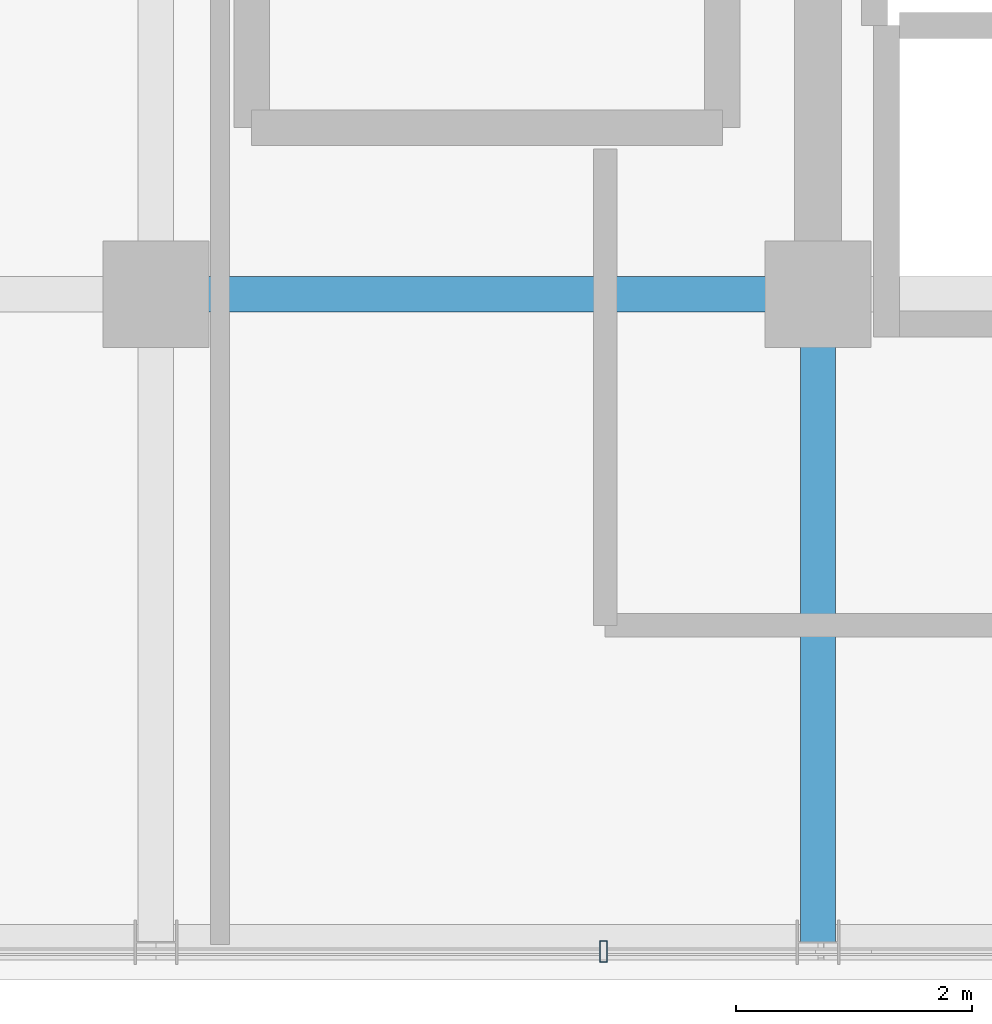
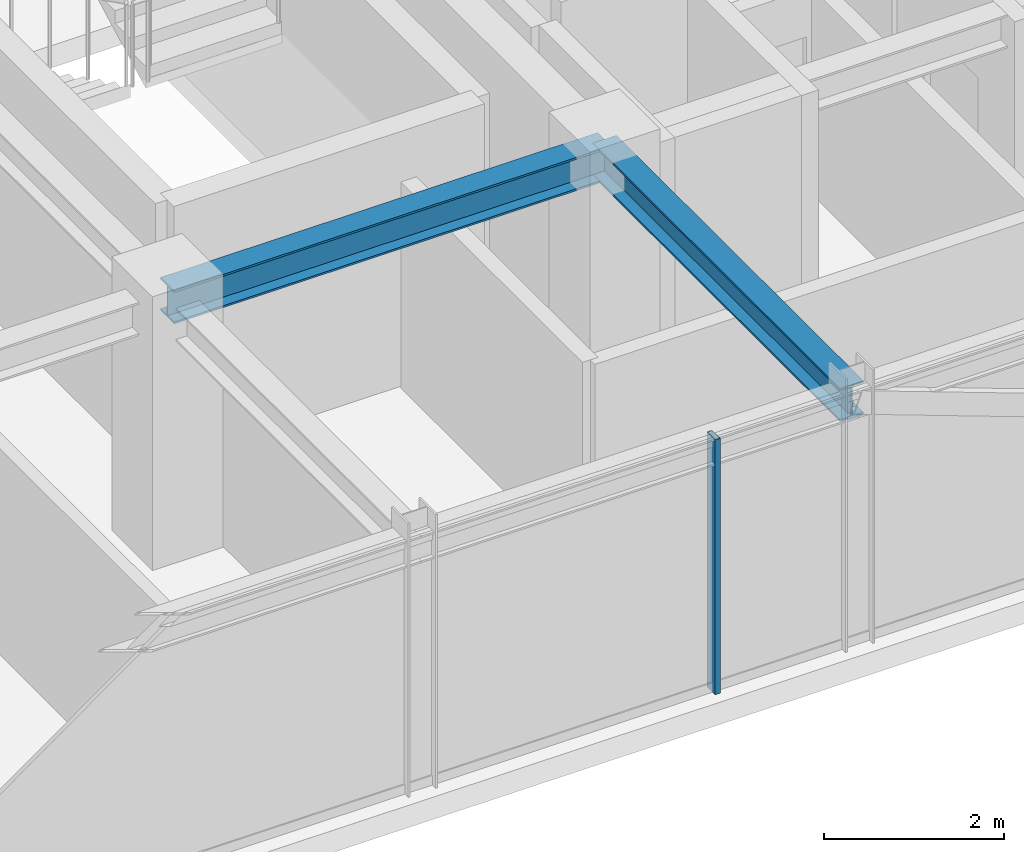
# One storey, part 8 of 31: 2 beams, 1 member, 1 element without a shape of its own.
"""IFC4 building model written with IfcOpenShell, lengths in metres."""

from ifc_helpers import new_model, si_unit, direction, frame, origin, origin_2d, place, context, subcontext, project, spatial, hollow_rectangle, i_section, extrude, source, transform, mapped, material, material_profile, profile_set, type_object, element, aggregate, save


model = new_model("IFC4")

# Units and contexts
model_context = context("Model", 3, precision=1e-05, world=origin(), true_north=direction((0.0, 1.0)))
body_context = subcontext(model_context, "Body", "Model", "MODEL_VIEW")
ifc_project = project(units=[si_unit("LENGTHUNIT", "METRE"), si_unit("AREAUNIT", "SQUARE_METRE"), si_unit("VOLUMEUNIT", "CUBIC_METRE"), si_unit("PLANEANGLEUNIT", "RADIAN"), si_unit("MASSUNIT", "GRAM", prefix="KILO")], contexts=[model_context])

# Site, building, storey
site_placement = place(None, origin())
site = spatial("IfcSite", under=ifc_project, at=site_placement, CompositionType="ELEMENT")
building_placement = place(site_placement, origin())
building = spatial("IfcBuilding", under=site, at=building_placement, Name="Nahalor Promenade Grand Hotel", CompositionType="ELEMENT")
storey_placement = place(building_placement, frame((0.0, 0.0, 281.300048828125)))
storey = spatial("IfcBuildingStorey", under=building, at=storey_placement, Name="L72", CompositionType="ELEMENT", Elevation=281.300048828125)

# Beams
ifc_material_1 = material(Name="Steel S355JR", Category="steel")
ifc_material_profile_1 = material_profile(ifc_material_1, i_section(OverallWidth=0.3, OverallDepth=0.45, WebThickness=0.014, FlangeThickness=0.026, at=origin_2d()), Name="HEB 450")
ifc_profile_set_1 = profile_set([ifc_material_profile_1], Name="Steel S355JR")
beam_type = type_object("IfcBeamType", Name="Beam-Girder-HEB450", PredefinedType="BEAM", material=ifc_profile_set_1)
shared_shape_1 = source(origin(), body_context, "Body", "SweptSolid", [
    extrude(i_section(OverallWidth=0.3, OverallDepth=0.45, WebThickness=0.014, FlangeThickness=0.026, at=origin_2d()), origin(), (0.0, 0.0, 1.0), 5.599853515625),
])
beam_1_placement = place(storey_placement, frame((2.800048828125, -17.0, 3.224853515625), z_axis=(1.0, 0.0, 0.0), x_axis=(0.0, 1.0, 0.0)))
element("IfcBeam", 1, at=beam_1_placement, inside=storey, type_object=beam_type, Name="BM-L72-GX-0-4", PredefinedType="BEAM", context=body_context, shape_type="MappedRepresentation", body=[
    mapped(shared_shape_1, transform((0.0, 0.0, 0.0), scale=1.0)),
])
shared_shape_2 = source(origin(), body_context, "Body", "SweptSolid", [
    extrude(i_section(OverallWidth=0.3, OverallDepth=0.45, WebThickness=0.014, FlangeThickness=0.026, at=origin_2d()), origin(), (0.0, 0.0, 1.0), 5.47998046875),
])
beam_2_placement = place(storey_placement, frame((8.39990234375, -22.47998046875, 3.224853515625), z_axis=(0.0, 1.0, 0.0), x_axis=(-1.0, 0.0, 0.0)))
element("IfcBeam", 2, at=beam_2_placement, inside=storey, type_object=beam_type, Name="BM-L72-GY-4-0", PredefinedType="BEAM", context=body_context, shape_type="MappedRepresentation", body=[
    mapped(shared_shape_2, transform((0.0, 0.0, 0.0), scale=1.0)),
])

# Curtain wall, member
ifc_material_2 = material(Name="Anodised Bronze Aluminium EN AW-6063 T6", Category="aluminium")
curtain_wall_type = type_object("IfcCurtainWallType", Name="CW2 Typical Hotel Flush Bronze Unitised Curtain Wall", PredefinedType="USERDEFINED", material=ifc_material_2)
curtain_wall_placement = place(storey_placement, origin())
curtain_wall = element("IfcCurtainWall", 3, at=curtain_wall_placement, inside=storey, type_object=curtain_wall_type, Name="L72 Curtain Wall CW-L72-S-1", ObjectType="UNITISED_CURTAIN_WALL", PredefinedType="USERDEFINED")
ifc_material_profile_2 = material_profile(ifc_material_2, hollow_rectangle(XDim=0.065, YDim=0.18, WallThickness=0.004, at=origin_2d()), Name="CWM 65x180x4")
ifc_profile_set_2 = profile_set([ifc_material_profile_2], Name="Anodised Bronze Aluminium EN AW-6063 T6")
member_type = type_object("IfcMemberType", Name="CWM2 Typical Bronze Mullion 65x180", PredefinedType="MULLION", material=ifc_profile_set_2)
shared_shape_3 = source(origin(), body_context, "Body", "SweptSolid", [
    extrude(hollow_rectangle(XDim=0.065, YDim=0.18, WallThickness=0.004, at=origin_2d()), origin(), (0.0, 0.0, 1.0), 3.449951171875),
])
member_placement = place(storey_placement, frame((6.586669921875, -22.56005859375, 0.0), z_axis=(0.0, 0.0, 1.0), x_axis=(1.0, 0.0, 0.0)))
member = element("IfcMember", 4, at=member_placement, type_object=member_type, Name="CW-L72-S-1 Mullion 2", PredefinedType="MULLION", context=body_context, shape_type="MappedRepresentation", body=[
    mapped(shared_shape_3, transform((0.0, 0.0, 0.0), scale=1.0)),
])
aggregate(curtain_wall, [member])

save(model, "model.ifc")
